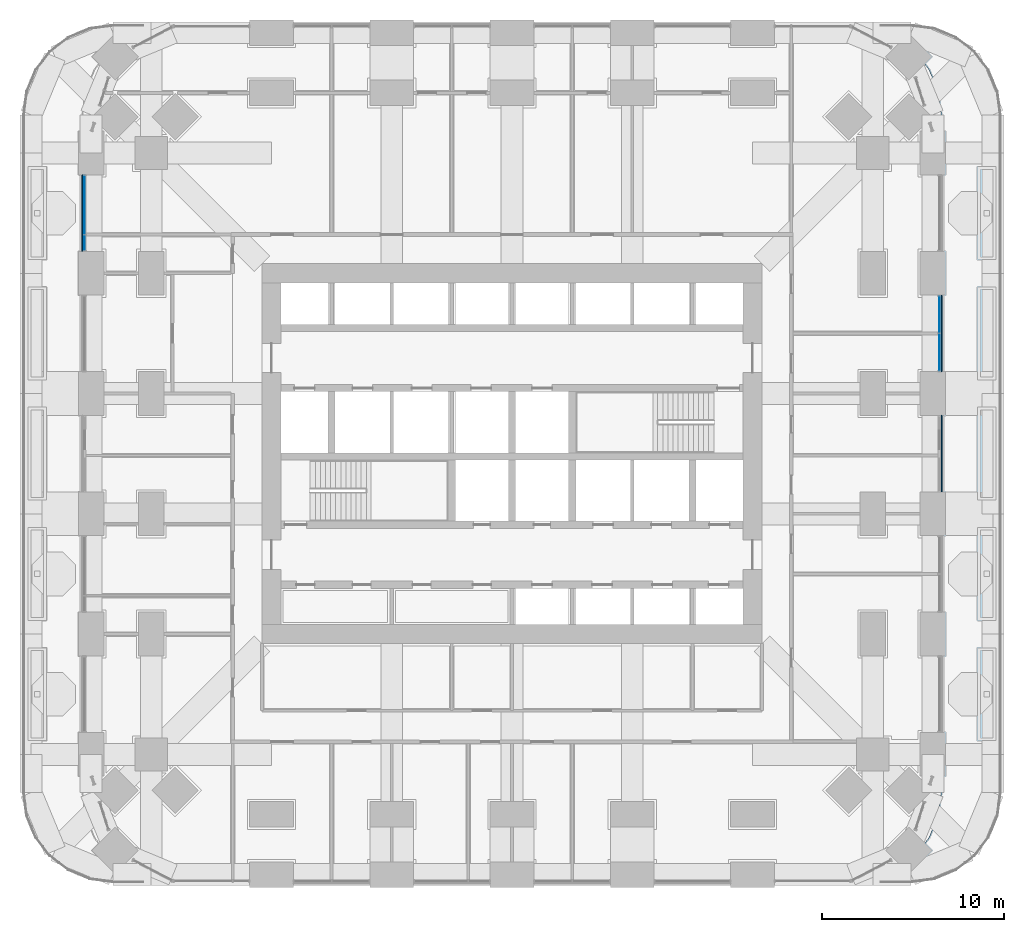
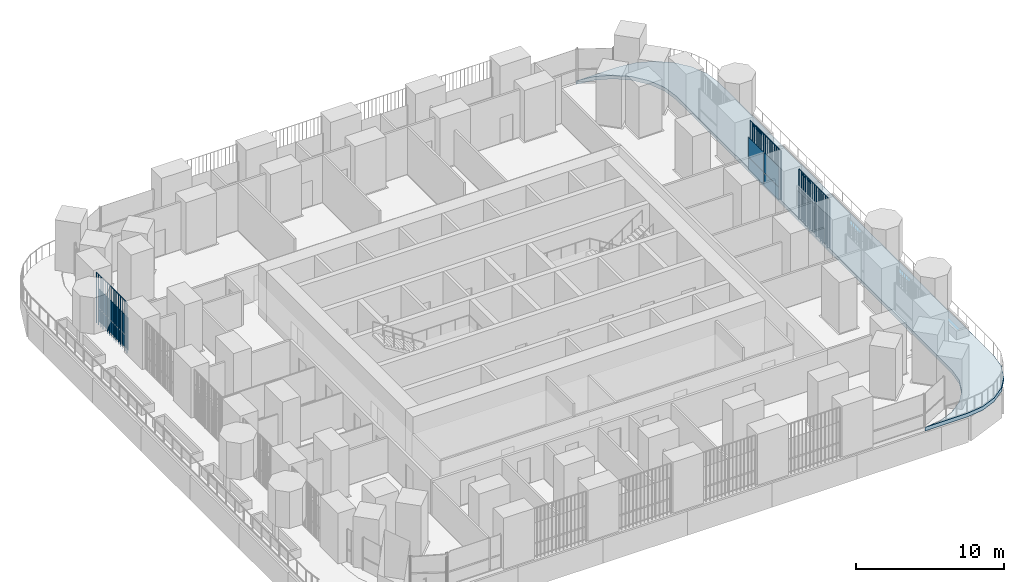
# One storey, part 14 of 27: 11 plates, 1 slab, 2 elements without a shape of their own.
"""IFC4 building model written with IfcOpenShell, lengths in metres."""

from ifc_helpers import new_model, si_unit, direction, frame, origin, origin_2d, place, context, subcontext, project, spatial, polyline, rectangle, outline, extrude, material, layer, layer_set, type_object, element, aggregate, save


model = new_model("IFC4")

# Units and contexts
model_context = context("Model", 3, precision=1e-05, world=origin(), true_north=direction((0.0, 1.0)))
body_context = subcontext(model_context, "Body", "Model", "MODEL_VIEW")
ifc_project = project(units=[si_unit("LENGTHUNIT", "METRE"), si_unit("AREAUNIT", "SQUARE_METRE"), si_unit("VOLUMEUNIT", "CUBIC_METRE"), si_unit("PLANEANGLEUNIT", "RADIAN"), si_unit("MASSUNIT", "GRAM", prefix="KILO")], contexts=[model_context])

# Site, building, storey
site_placement = place(None, origin())
site = spatial("IfcSite", under=ifc_project, at=site_placement, CompositionType="ELEMENT")
building_placement = place(site_placement, origin())
building = spatial("IfcBuilding", under=site, at=building_placement, Name="Cobogo Forest Laboratory Tower", CompositionType="ELEMENT")
storey_placement = place(building_placement, frame((0.0, 0.0, 82.199951171875)))
storey = spatial("IfcBuildingStorey", under=building, at=storey_placement, Name="L18", CompositionType="ELEMENT", Elevation=82.199951171875)

# Curtain wall, plates
ifc_material_1 = material(Name="Aluminium curtain wall", Category="aluminium")
curtain_wall_type = type_object("IfcCurtainWallType", Name="CW-1 unitised curtain wall, clear glazing, laboratory floors zones A and B", PredefinedType="USERDEFINED", material=ifc_material_1)
curtain_wall_1_placement = place(storey_placement, origin())
curtain_wall_1 = element("IfcCurtainWall", 1, at=curtain_wall_1_placement, inside=storey, type_object=curtain_wall_type, Name="Curtain wall 13 L18", ObjectType="UNITISED CURTAIN WALL", PredefinedType="USERDEFINED")
ifc_material_2 = material(Name="Clear insulated glass", Category="glass")
ifc_layer_1 = layer(ifc_material_2, 0.028076171875)
ifc_layer_set_1 = layer_set([ifc_layer_1], Name="GP-1 clear insulated glass unit 28")
plate_type_1 = type_object("IfcPlateType", Name="GP-1 clear insulated glass unit 28", PredefinedType="CURTAIN_PANEL", material=ifc_layer_set_1)
plate_1_placement = place(storey_placement, frame((49.85009765625, 28.6650390625, 0.0), z_axis=(0.0, 0.0, 1.0), x_axis=(0.0, 1.0, 0.0)))
plate_1 = element("IfcPlate", 2, at=plate_1_placement, type_object=plate_type_1, Name="CW-1 panel 1.1", PredefinedType="CURTAIN_PANEL", context=body_context, shape_type="SweptSolid", body=[
    extrude(rectangle(XDim=2.010009765625, YDim=0.028076171875, at=origin_2d()), origin(), (0.0, 0.0, 1.0), 1.02001953125),
])
plate_2_placement = place(storey_placement, frame((49.85009765625, 28.6650390625, 1.080078125), z_axis=(0.0, 0.0, 1.0), x_axis=(0.0, 1.0, 0.0)))
plate_2 = element("IfcPlate", 3, at=plate_2_placement, type_object=plate_type_1, Name="CW-1 panel 1.2", PredefinedType="CURTAIN_PANEL", context=body_context, shape_type="SweptSolid", body=[
    extrude(rectangle(XDim=2.010009765625, YDim=0.028076171875, at=origin_2d()), origin(), (0.0, 0.0, 1.0), 1.6201171875),
])
plate_3_placement = place(storey_placement, frame((49.85009765625, 30.735107421875, 0.0), z_axis=(0.0, 0.0, 1.0), x_axis=(0.0, 1.0, 0.0)))
plate_3 = element("IfcPlate", 4, at=plate_3_placement, type_object=plate_type_1, Name="CW-1 panel 2.1", PredefinedType="CURTAIN_PANEL", context=body_context, shape_type="SweptSolid", body=[
    extrude(rectangle(XDim=2.010009765625, YDim=0.028076171875, at=origin_2d()), origin(), (0.0, 0.0, 1.0), 1.02001953125),
])
plate_4_placement = place(storey_placement, frame((49.85009765625, 30.735107421875, 1.080078125), z_axis=(0.0, 0.0, 1.0), x_axis=(0.0, 1.0, 0.0)))
plate_4 = element("IfcPlate", 5, at=plate_4_placement, type_object=plate_type_1, Name="CW-1 panel 2.2", PredefinedType="CURTAIN_PANEL", context=body_context, shape_type="SweptSolid", body=[
    extrude(rectangle(XDim=2.010009765625, YDim=0.028076171875, at=origin_2d()), origin(), (0.0, 0.0, 1.0), 1.6201171875),
])
aggregate(curtain_wall_1, [plate_1, plate_2, plate_3, plate_4])

curtain_wall_2_placement = place(storey_placement, origin())
curtain_wall_2 = element("IfcCurtainWall", 6, at=curtain_wall_2_placement, inside=storey, type_object=curtain_wall_type, Name="Curtain wall 27 L18", ObjectType="UNITISED CURTAIN WALL", PredefinedType="USERDEFINED")
plate_5_placement = place(storey_placement, frame((2.949951171875, 36.74755859375, 0.0), z_axis=(0.0, 0.0, 1.0), x_axis=(0.0, -1.0, 0.0)))
plate_5 = element("IfcPlate", 7, at=plate_5_placement, type_object=plate_type_1, Name="CW-1 panel 1.1", PredefinedType="CURTAIN_PANEL", context=body_context, shape_type="SweptSolid", body=[
    extrude(rectangle(XDim=3.18505859375, YDim=0.028076171875, at=origin_2d()), origin(), (0.0, 0.0, 1.0), 1.02001953125),
])
plate_6_placement = place(storey_placement, frame((2.949951171875, 36.74755859375, 1.080078125), z_axis=(0.0, 0.0, 1.0), x_axis=(0.0, -1.0, 0.0)))
plate_6 = element("IfcPlate", 8, at=plate_6_placement, type_object=plate_type_1, Name="CW-1 panel 1.2", PredefinedType="CURTAIN_PANEL", context=body_context, shape_type="SweptSolid", body=[
    extrude(rectangle(XDim=3.18505859375, YDim=0.028076171875, at=origin_2d()), origin(), (0.0, 0.0, 1.0), 1.6201171875),
])
plate_7_placement = place(storey_placement, frame((2.949951171875, 34.677490234375, 0.0), z_axis=(0.0, 0.0, 1.0), x_axis=(0.0, -1.0, 0.0)))
plate_7 = element("IfcPlate", 9, at=plate_7_placement, type_object=plate_type_1, Name="CW-1 panel 2.1", PredefinedType="CURTAIN_PANEL", context=body_context, shape_type="SweptSolid", body=[
    extrude(rectangle(XDim=0.8349609375, YDim=0.028076171875, at=origin_2d()), origin(), (0.0, 0.0, 1.0), 1.02001953125),
])
plate_8_placement = place(storey_placement, frame((2.949951171875, 34.677490234375, 1.080078125), z_axis=(0.0, 0.0, 1.0), x_axis=(0.0, -1.0, 0.0)))
plate_8 = element("IfcPlate", 10, at=plate_8_placement, type_object=plate_type_1, Name="CW-1 panel 2.2", PredefinedType="CURTAIN_PANEL", context=body_context, shape_type="SweptSolid", body=[
    extrude(rectangle(XDim=0.8349609375, YDim=0.028076171875, at=origin_2d()), origin(), (0.0, 0.0, 1.0), 1.6201171875),
])
aggregate(curtain_wall_2, [plate_5, plate_6, plate_7, plate_8])

# Plates
ifc_material_3 = material(Name="Terracotta", Category="masonry")
plate_type_2 = type_object("IfcPlateType", Name="TB1 terracotta baguette screen", PredefinedType="USERDEFINED", material=ifc_material_3)
plate_9_placement = place(storey_placement, frame((49.977783203125, 21.03125, -0.14990234375)))
element("IfcPlate", 11, at=plate_9_placement, inside=storey, type_object=plate_type_2, Name="Baguette screen E3 L18", ObjectType="BAGUETTE SCREEN", PredefinedType="USERDEFINED", context=body_context, shape_type="SweptSolid", body=[
    extrude(outline(polyline([(0.02880859375, 0.011962890625), (0.011962890625, 0.02880859375), (-0.011962890625, 0.02880859375), (-0.02880859375, 0.011962890625), (-0.02880859375, -0.011962890625), (-0.011962890625, -0.02880859375), (0.011962890625, -0.02880859375), (0.02880859375, -0.011962890625), (0.02880859375, 0.011962890625)])), frame((0.0, 0.0, 4.168701171875), z_axis=(0.0, 1.0, 0.0), x_axis=(-1.0, 0.0, 0.0)), (0.0, 0.0, 1.0), 4.137451171875),
    extrude(outline(polyline([(0.02880859375, 0.011962890625), (0.011962890625, 0.02880859375), (-0.011962890625, 0.02880859375), (-0.02880859375, 0.011962890625), (-0.02880859375, -0.011962890625), (-0.011962890625, -0.02880859375), (0.011962890625, -0.02880859375), (0.02880859375, -0.011962890625), (0.02880859375, 0.011962890625)])), origin(), (0.0, 0.0, 1.0), 4.137451171875),
    extrude(outline(polyline([(0.02880859375, 0.011962890625), (0.011962890625, 0.02880859375), (-0.011962890625, 0.02880859375), (-0.02880859375, 0.011962890625), (-0.02880859375, -0.011962890625), (-0.011962890625, -0.02880859375), (0.011962890625, -0.02880859375), (0.02880859375, -0.011962890625), (0.02880859375, 0.011962890625)])), frame((0.0, 0.29541015625, 0.0)), (0.0, 0.0, 1.0), 4.137451171875),
    extrude(outline(polyline([(0.02880859375, 0.011962890625), (0.011962890625, 0.02880859375), (-0.011962890625, 0.02880859375), (-0.02880859375, 0.011962890625), (-0.02880859375, -0.011962890625), (-0.011962890625, -0.02880859375), (0.011962890625, -0.02880859375), (0.02880859375, -0.011962890625), (0.02880859375, 0.011962890625)])), frame((0.0, 0.591064453125, 0.0)), (0.0, 0.0, 1.0), 4.137451171875),
    extrude(outline(polyline([(0.02880859375, 0.011962890625), (0.011962890625, 0.02880859375), (-0.011962890625, 0.02880859375), (-0.02880859375, 0.011962890625), (-0.02880859375, -0.011962890625), (-0.011962890625, -0.02880859375), (0.011962890625, -0.02880859375), (0.02880859375, -0.011962890625), (0.02880859375, 0.011962890625)])), frame((0.0, 0.88671875, 0.0)), (0.0, 0.0, 1.0), 4.137451171875),
    extrude(outline(polyline([(0.02880859375, 0.011962890625), (0.011962890625, 0.02880859375), (-0.011962890625, 0.02880859375), (-0.02880859375, 0.011962890625), (-0.02880859375, -0.011962890625), (-0.011962890625, -0.02880859375), (0.011962890625, -0.02880859375), (0.02880859375, -0.011962890625), (0.02880859375, 0.011962890625)])), frame((0.0, 1.18212890625, 0.0)), (0.0, 0.0, 1.0), 4.137451171875),
    extrude(outline(polyline([(0.02880859375, 0.011962890625), (0.011962890625, 0.02880859375), (-0.011962890625, 0.02880859375), (-0.02880859375, 0.011962890625), (-0.02880859375, -0.011962890625), (-0.011962890625, -0.02880859375), (0.011962890625, -0.02880859375), (0.02880859375, -0.011962890625), (0.02880859375, 0.011962890625)])), frame((0.0, 1.4775390625, 0.0)), (0.0, 0.0, 1.0), 4.137451171875),
    extrude(outline(polyline([(0.02880859375, 0.011962890625), (0.011962890625, 0.02880859375), (-0.011962890625, 0.02880859375), (-0.02880859375, 0.011962890625), (-0.02880859375, -0.011962890625), (-0.011962890625, -0.02880859375), (0.011962890625, -0.02880859375), (0.02880859375, -0.011962890625), (0.02880859375, 0.011962890625)])), frame((0.0, 1.773193359375, 0.0)), (0.0, 0.0, 1.0), 4.137451171875),
    extrude(outline(polyline([(0.02880859375, 0.011962890625), (0.011962890625, 0.02880859375), (-0.011962890625, 0.02880859375), (-0.02880859375, 0.011962890625), (-0.02880859375, -0.011962890625), (-0.011962890625, -0.02880859375), (0.011962890625, -0.02880859375), (0.02880859375, -0.011962890625), (0.02880859375, 0.011962890625)])), frame((0.0, 2.06884765625, 0.0)), (0.0, 0.0, 1.0), 4.137451171875),
    extrude(outline(polyline([(0.02880859375, 0.011962890625), (0.011962890625, 0.02880859375), (-0.011962890625, 0.02880859375), (-0.02880859375, 0.011962890625), (-0.02880859375, -0.011962890625), (-0.011962890625, -0.02880859375), (0.011962890625, -0.02880859375), (0.02880859375, -0.011962890625), (0.02880859375, 0.011962890625)])), frame((0.0, 2.3642578125, 0.0)), (0.0, 0.0, 1.0), 4.137451171875),
    extrude(outline(polyline([(0.02880859375, 0.011962890625), (0.011962890625, 0.02880859375), (-0.011962890625, 0.02880859375), (-0.02880859375, 0.011962890625), (-0.02880859375, -0.011962890625), (-0.011962890625, -0.02880859375), (0.011962890625, -0.02880859375), (0.02880859375, -0.011962890625), (0.02880859375, 0.011962890625)])), frame((0.0, 2.65966796875, 0.0)), (0.0, 0.0, 1.0), 4.137451171875),
    extrude(outline(polyline([(0.02880859375, 0.011962890625), (0.011962890625, 0.02880859375), (-0.011962890625, 0.02880859375), (-0.02880859375, 0.011962890625), (-0.02880859375, -0.011962890625), (-0.011962890625, -0.02880859375), (0.011962890625, -0.02880859375), (0.02880859375, -0.011962890625), (0.02880859375, 0.011962890625)])), frame((0.0, 2.955322265625, 0.0)), (0.0, 0.0, 1.0), 4.137451171875),
    extrude(outline(polyline([(0.02880859375, 0.011962890625), (0.011962890625, 0.02880859375), (-0.011962890625, 0.02880859375), (-0.02880859375, 0.011962890625), (-0.02880859375, -0.011962890625), (-0.011962890625, -0.02880859375), (0.011962890625, -0.02880859375), (0.02880859375, -0.011962890625), (0.02880859375, 0.011962890625)])), frame((0.0, 3.2509765625, 0.0)), (0.0, 0.0, 1.0), 4.137451171875),
    extrude(outline(polyline([(0.02880859375, 0.011962890625), (0.011962890625, 0.02880859375), (-0.011962890625, 0.02880859375), (-0.02880859375, 0.011962890625), (-0.02880859375, -0.011962890625), (-0.011962890625, -0.02880859375), (0.011962890625, -0.02880859375), (0.02880859375, -0.011962890625), (0.02880859375, 0.011962890625)])), frame((0.0, 3.54638671875, 0.0)), (0.0, 0.0, 1.0), 4.137451171875),
    extrude(outline(polyline([(0.02880859375, 0.011962890625), (0.011962890625, 0.02880859375), (-0.011962890625, 0.02880859375), (-0.02880859375, 0.011962890625), (-0.02880859375, -0.011962890625), (-0.011962890625, -0.02880859375), (0.011962890625, -0.02880859375), (0.02880859375, -0.011962890625), (0.02880859375, 0.011962890625)])), frame((0.0, 3.841796875, 0.0)), (0.0, 0.0, 1.0), 4.137451171875),
    extrude(outline(polyline([(0.02880859375, 0.011962890625), (0.011962890625, 0.02880859375), (-0.011962890625, 0.02880859375), (-0.02880859375, 0.011962890625), (-0.02880859375, -0.011962890625), (-0.011962890625, -0.02880859375), (0.011962890625, -0.02880859375), (0.02880859375, -0.011962890625), (0.02880859375, 0.011962890625)])), frame((0.0, 4.137451171875, 0.0)), (0.0, 0.0, 1.0), 4.137451171875),
])
plate_10_placement = place(storey_placement, frame((49.977783203125, 27.63134765625, -0.14990234375)))
element("IfcPlate", 12, at=plate_10_placement, inside=storey, type_object=plate_type_2, Name="Baguette screen E4 L18", ObjectType="BAGUETTE SCREEN", PredefinedType="USERDEFINED", context=body_context, shape_type="SweptSolid", body=[
    extrude(outline(polyline([(0.02880859375, 0.011962890625), (0.011962890625, 0.02880859375), (-0.011962890625, 0.02880859375), (-0.02880859375, 0.011962890625), (-0.02880859375, -0.011962890625), (-0.011962890625, -0.02880859375), (0.011962890625, -0.02880859375), (0.02880859375, -0.011962890625), (0.02880859375, 0.011962890625)])), frame((0.0, 0.0, 4.168701171875), z_axis=(0.0, 1.0, 0.0), x_axis=(-1.0, 0.0, 0.0)), (0.0, 0.0, 1.0), 4.137451171875),
    extrude(outline(polyline([(0.02880859375, 0.011962890625), (0.011962890625, 0.02880859375), (-0.011962890625, 0.02880859375), (-0.02880859375, 0.011962890625), (-0.02880859375, -0.011962890625), (-0.011962890625, -0.02880859375), (0.011962890625, -0.02880859375), (0.02880859375, -0.011962890625), (0.02880859375, 0.011962890625)])), origin(), (0.0, 0.0, 1.0), 4.137451171875),
    extrude(outline(polyline([(0.02880859375, 0.011962890625), (0.011962890625, 0.02880859375), (-0.011962890625, 0.02880859375), (-0.02880859375, 0.011962890625), (-0.02880859375, -0.011962890625), (-0.011962890625, -0.02880859375), (0.011962890625, -0.02880859375), (0.02880859375, -0.011962890625), (0.02880859375, 0.011962890625)])), frame((0.0, 0.29541015625, 0.0)), (0.0, 0.0, 1.0), 4.137451171875),
    extrude(outline(polyline([(0.02880859375, 0.011962890625), (0.011962890625, 0.02880859375), (-0.011962890625, 0.02880859375), (-0.02880859375, 0.011962890625), (-0.02880859375, -0.011962890625), (-0.011962890625, -0.02880859375), (0.011962890625, -0.02880859375), (0.02880859375, -0.011962890625), (0.02880859375, 0.011962890625)])), frame((0.0, 0.591064453125, 0.0)), (0.0, 0.0, 1.0), 4.137451171875),
    extrude(outline(polyline([(0.02880859375, 0.011962890625), (0.011962890625, 0.02880859375), (-0.011962890625, 0.02880859375), (-0.02880859375, 0.011962890625), (-0.02880859375, -0.011962890625), (-0.011962890625, -0.02880859375), (0.011962890625, -0.02880859375), (0.02880859375, -0.011962890625), (0.02880859375, 0.011962890625)])), frame((0.0, 0.88671875, 0.0)), (0.0, 0.0, 1.0), 4.137451171875),
    extrude(outline(polyline([(0.02880859375, 0.011962890625), (0.011962890625, 0.02880859375), (-0.011962890625, 0.02880859375), (-0.02880859375, 0.011962890625), (-0.02880859375, -0.011962890625), (-0.011962890625, -0.02880859375), (0.011962890625, -0.02880859375), (0.02880859375, -0.011962890625), (0.02880859375, 0.011962890625)])), frame((0.0, 1.18212890625, 0.0)), (0.0, 0.0, 1.0), 4.137451171875),
    extrude(outline(polyline([(0.02880859375, 0.011962890625), (0.011962890625, 0.02880859375), (-0.011962890625, 0.02880859375), (-0.02880859375, 0.011962890625), (-0.02880859375, -0.011962890625), (-0.011962890625, -0.02880859375), (0.011962890625, -0.02880859375), (0.02880859375, -0.011962890625), (0.02880859375, 0.011962890625)])), frame((0.0, 1.4775390625, 0.0)), (0.0, 0.0, 1.0), 4.137451171875),
    extrude(outline(polyline([(0.02880859375, 0.011962890625), (0.011962890625, 0.02880859375), (-0.011962890625, 0.02880859375), (-0.02880859375, 0.011962890625), (-0.02880859375, -0.011962890625), (-0.011962890625, -0.02880859375), (0.011962890625, -0.02880859375), (0.02880859375, -0.011962890625), (0.02880859375, 0.011962890625)])), frame((0.0, 1.773193359375, 0.0)), (0.0, 0.0, 1.0), 4.137451171875),
    extrude(outline(polyline([(0.02880859375, 0.011962890625), (0.011962890625, 0.02880859375), (-0.011962890625, 0.02880859375), (-0.02880859375, 0.011962890625), (-0.02880859375, -0.011962890625), (-0.011962890625, -0.02880859375), (0.011962890625, -0.02880859375), (0.02880859375, -0.011962890625), (0.02880859375, 0.011962890625)])), frame((0.0, 2.06884765625, 0.0)), (0.0, 0.0, 1.0), 4.137451171875),
    extrude(outline(polyline([(0.02880859375, 0.011962890625), (0.011962890625, 0.02880859375), (-0.011962890625, 0.02880859375), (-0.02880859375, 0.011962890625), (-0.02880859375, -0.011962890625), (-0.011962890625, -0.02880859375), (0.011962890625, -0.02880859375), (0.02880859375, -0.011962890625), (0.02880859375, 0.011962890625)])), frame((0.0, 2.3642578125, 0.0)), (0.0, 0.0, 1.0), 4.137451171875),
    extrude(outline(polyline([(0.02880859375, 0.011962890625), (0.011962890625, 0.02880859375), (-0.011962890625, 0.02880859375), (-0.02880859375, 0.011962890625), (-0.02880859375, -0.011962890625), (-0.011962890625, -0.02880859375), (0.011962890625, -0.02880859375), (0.02880859375, -0.011962890625), (0.02880859375, 0.011962890625)])), frame((0.0, 2.65966796875, 0.0)), (0.0, 0.0, 1.0), 4.137451171875),
    extrude(outline(polyline([(0.02880859375, 0.011962890625), (0.011962890625, 0.02880859375), (-0.011962890625, 0.02880859375), (-0.02880859375, 0.011962890625), (-0.02880859375, -0.011962890625), (-0.011962890625, -0.02880859375), (0.011962890625, -0.02880859375), (0.02880859375, -0.011962890625), (0.02880859375, 0.011962890625)])), frame((0.0, 2.955322265625, 0.0)), (0.0, 0.0, 1.0), 4.137451171875),
    extrude(outline(polyline([(0.02880859375, 0.011962890625), (0.011962890625, 0.02880859375), (-0.011962890625, 0.02880859375), (-0.02880859375, 0.011962890625), (-0.02880859375, -0.011962890625), (-0.011962890625, -0.02880859375), (0.011962890625, -0.02880859375), (0.02880859375, -0.011962890625), (0.02880859375, 0.011962890625)])), frame((0.0, 3.2509765625, 0.0)), (0.0, 0.0, 1.0), 4.137451171875),
    extrude(outline(polyline([(0.02880859375, 0.011962890625), (0.011962890625, 0.02880859375), (-0.011962890625, 0.02880859375), (-0.02880859375, 0.011962890625), (-0.02880859375, -0.011962890625), (-0.011962890625, -0.02880859375), (0.011962890625, -0.02880859375), (0.02880859375, -0.011962890625), (0.02880859375, 0.011962890625)])), frame((0.0, 3.54638671875, 0.0)), (0.0, 0.0, 1.0), 4.137451171875),
    extrude(outline(polyline([(0.02880859375, 0.011962890625), (0.011962890625, 0.02880859375), (-0.011962890625, 0.02880859375), (-0.02880859375, 0.011962890625), (-0.02880859375, -0.011962890625), (-0.011962890625, -0.02880859375), (0.011962890625, -0.02880859375), (0.02880859375, -0.011962890625), (0.02880859375, 0.011962890625)])), frame((0.0, 3.841796875, 0.0)), (0.0, 0.0, 1.0), 4.137451171875),
    extrude(outline(polyline([(0.02880859375, 0.011962890625), (0.011962890625, 0.02880859375), (-0.011962890625, 0.02880859375), (-0.02880859375, 0.011962890625), (-0.02880859375, -0.011962890625), (-0.011962890625, -0.02880859375), (0.011962890625, -0.02880859375), (0.02880859375, -0.011962890625), (0.02880859375, 0.011962890625)])), frame((0.0, 4.137451171875, 0.0)), (0.0, 0.0, 1.0), 4.137451171875),
])
plate_11_placement = place(storey_placement, frame((2.822021484375, 34.231201171875, -0.14990234375)))
element("IfcPlate", 13, at=plate_11_placement, inside=storey, type_object=plate_type_2, Name="Baguette screen W5 L18", ObjectType="BAGUETTE SCREEN", PredefinedType="USERDEFINED", context=body_context, shape_type="SweptSolid", body=[
    extrude(outline(polyline([(0.02880859375, 0.011962890625), (0.011962890625, 0.02880859375), (-0.011962890625, 0.02880859375), (-0.02880859375, 0.011962890625), (-0.02880859375, -0.011962890625), (-0.011962890625, -0.02880859375), (0.011962890625, -0.02880859375), (0.02880859375, -0.011962890625), (0.02880859375, 0.011962890625)])), frame((0.0, 0.0, 4.168701171875), z_axis=(0.0, 1.0, 0.0), x_axis=(-1.0, 0.0, 0.0)), (0.0, 0.0, 1.0), 4.137451171875),
    extrude(outline(polyline([(0.02880859375, 0.011962890625), (0.011962890625, 0.02880859375), (-0.011962890625, 0.02880859375), (-0.02880859375, 0.011962890625), (-0.02880859375, -0.011962890625), (-0.011962890625, -0.02880859375), (0.011962890625, -0.02880859375), (0.02880859375, -0.011962890625), (0.02880859375, 0.011962890625)])), origin(), (0.0, 0.0, 1.0), 4.137451171875),
    extrude(outline(polyline([(0.02880859375, 0.011962890625), (0.011962890625, 0.02880859375), (-0.011962890625, 0.02880859375), (-0.02880859375, 0.011962890625), (-0.02880859375, -0.011962890625), (-0.011962890625, -0.02880859375), (0.011962890625, -0.02880859375), (0.02880859375, -0.011962890625), (0.02880859375, 0.011962890625)])), frame((0.0, 0.29541015625, 0.0)), (0.0, 0.0, 1.0), 4.137451171875),
    extrude(outline(polyline([(0.02880859375, 0.011962890625), (0.011962890625, 0.02880859375), (-0.011962890625, 0.02880859375), (-0.02880859375, 0.011962890625), (-0.02880859375, -0.011962890625), (-0.011962890625, -0.02880859375), (0.011962890625, -0.02880859375), (0.02880859375, -0.011962890625), (0.02880859375, 0.011962890625)])), frame((0.0, 0.591064453125, 0.0)), (0.0, 0.0, 1.0), 4.137451171875),
    extrude(outline(polyline([(0.02880859375, 0.011962890625), (0.011962890625, 0.02880859375), (-0.011962890625, 0.02880859375), (-0.02880859375, 0.011962890625), (-0.02880859375, -0.011962890625), (-0.011962890625, -0.02880859375), (0.011962890625, -0.02880859375), (0.02880859375, -0.011962890625), (0.02880859375, 0.011962890625)])), frame((0.0, 0.88671875, 0.0)), (0.0, 0.0, 1.0), 4.137451171875),
    extrude(outline(polyline([(0.02880859375, 0.011962890625), (0.011962890625, 0.02880859375), (-0.011962890625, 0.02880859375), (-0.02880859375, 0.011962890625), (-0.02880859375, -0.011962890625), (-0.011962890625, -0.02880859375), (0.011962890625, -0.02880859375), (0.02880859375, -0.011962890625), (0.02880859375, 0.011962890625)])), frame((0.0, 1.18212890625, 0.0)), (0.0, 0.0, 1.0), 4.137451171875),
    extrude(outline(polyline([(0.02880859375, 0.011962890625), (0.011962890625, 0.02880859375), (-0.011962890625, 0.02880859375), (-0.02880859375, 0.011962890625), (-0.02880859375, -0.011962890625), (-0.011962890625, -0.02880859375), (0.011962890625, -0.02880859375), (0.02880859375, -0.011962890625), (0.02880859375, 0.011962890625)])), frame((0.0, 1.4775390625, 0.0)), (0.0, 0.0, 1.0), 4.137451171875),
    extrude(outline(polyline([(0.02880859375, 0.011962890625), (0.011962890625, 0.02880859375), (-0.011962890625, 0.02880859375), (-0.02880859375, 0.011962890625), (-0.02880859375, -0.011962890625), (-0.011962890625, -0.02880859375), (0.011962890625, -0.02880859375), (0.02880859375, -0.011962890625), (0.02880859375, 0.011962890625)])), frame((0.0, 1.773193359375, 0.0)), (0.0, 0.0, 1.0), 4.137451171875),
    extrude(outline(polyline([(0.02880859375, 0.011962890625), (0.011962890625, 0.02880859375), (-0.011962890625, 0.02880859375), (-0.02880859375, 0.011962890625), (-0.02880859375, -0.011962890625), (-0.011962890625, -0.02880859375), (0.011962890625, -0.02880859375), (0.02880859375, -0.011962890625), (0.02880859375, 0.011962890625)])), frame((0.0, 2.06884765625, 0.0)), (0.0, 0.0, 1.0), 4.137451171875),
    extrude(outline(polyline([(0.02880859375, 0.011962890625), (0.011962890625, 0.02880859375), (-0.011962890625, 0.02880859375), (-0.02880859375, 0.011962890625), (-0.02880859375, -0.011962890625), (-0.011962890625, -0.02880859375), (0.011962890625, -0.02880859375), (0.02880859375, -0.011962890625), (0.02880859375, 0.011962890625)])), frame((0.0, 2.3642578125, 0.0)), (0.0, 0.0, 1.0), 4.137451171875),
    extrude(outline(polyline([(0.02880859375, 0.011962890625), (0.011962890625, 0.02880859375), (-0.011962890625, 0.02880859375), (-0.02880859375, 0.011962890625), (-0.02880859375, -0.011962890625), (-0.011962890625, -0.02880859375), (0.011962890625, -0.02880859375), (0.02880859375, -0.011962890625), (0.02880859375, 0.011962890625)])), frame((0.0, 2.65966796875, 0.0)), (0.0, 0.0, 1.0), 4.137451171875),
    extrude(outline(polyline([(0.02880859375, 0.011962890625), (0.011962890625, 0.02880859375), (-0.011962890625, 0.02880859375), (-0.02880859375, 0.011962890625), (-0.02880859375, -0.011962890625), (-0.011962890625, -0.02880859375), (0.011962890625, -0.02880859375), (0.02880859375, -0.011962890625), (0.02880859375, 0.011962890625)])), frame((0.0, 2.955322265625, 0.0)), (0.0, 0.0, 1.0), 4.137451171875),
    extrude(outline(polyline([(0.02880859375, 0.011962890625), (0.011962890625, 0.02880859375), (-0.011962890625, 0.02880859375), (-0.02880859375, 0.011962890625), (-0.02880859375, -0.011962890625), (-0.011962890625, -0.02880859375), (0.011962890625, -0.02880859375), (0.02880859375, -0.011962890625), (0.02880859375, 0.011962890625)])), frame((0.0, 3.2509765625, 0.0)), (0.0, 0.0, 1.0), 4.137451171875),
    extrude(outline(polyline([(0.02880859375, 0.011962890625), (0.011962890625, 0.02880859375), (-0.011962890625, 0.02880859375), (-0.02880859375, 0.011962890625), (-0.02880859375, -0.011962890625), (-0.011962890625, -0.02880859375), (0.011962890625, -0.02880859375), (0.02880859375, -0.011962890625), (0.02880859375, 0.011962890625)])), frame((0.0, 3.54638671875, 0.0)), (0.0, 0.0, 1.0), 4.137451171875),
    extrude(outline(polyline([(0.02880859375, 0.011962890625), (0.011962890625, 0.02880859375), (-0.011962890625, 0.02880859375), (-0.02880859375, 0.011962890625), (-0.02880859375, -0.011962890625), (-0.011962890625, -0.02880859375), (0.011962890625, -0.02880859375), (0.02880859375, -0.011962890625), (0.02880859375, 0.011962890625)])), frame((0.0, 3.841796875, 0.0)), (0.0, 0.0, 1.0), 4.137451171875),
    extrude(outline(polyline([(0.02880859375, 0.011962890625), (0.011962890625, 0.02880859375), (-0.011962890625, 0.02880859375), (-0.02880859375, 0.011962890625), (-0.02880859375, -0.011962890625), (-0.011962890625, -0.02880859375), (0.011962890625, -0.02880859375), (0.02880859375, -0.011962890625), (0.02880859375, 0.011962890625)])), frame((0.0, 4.137451171875, 0.0)), (0.0, 0.0, 1.0), 4.137451171875),
])

# Slab
ifc_material_4 = material(Name="Concrete HA-40 (C40/50)", Category="concrete")
ifc_layer_2 = layer(ifc_material_4, 0.300048828125)
ifc_layer_set_2 = layer_set([ifc_layer_2], Name="Terrace slab 300")
slab_type = type_object("IfcSlabType", Name="Terrace slab 300", PredefinedType="FLOOR", material=ifc_layer_set_2)
slab_placement = place(storey_placement, frame((0.0, 0.0, -0.300048828125)))
element("IfcSlab", 14, at=slab_placement, inside=storey, type_object=slab_type, Name="Setback terrace E L18", PredefinedType="FLOOR", context=body_context, shape_type="SweptSolid", body=[
    extrude(outline(polyline([(48.300048828125, 46.64990234375), (45.0, 46.64990234375), (46.28125, 46.4814453125), (47.47509765625, 45.98681640625), (48.500244140625, 45.2001953125), (49.286865234375, 44.175048828125), (49.78125, 42.981201171875), (49.949951171875, 41.699951171875), (49.949951171875, 4.5), (49.78125, 3.21875), (49.286865234375, 2.02490234375), (48.500244140625, 0.999755859375), (47.47509765625, 0.213134765625), (46.28125, -0.28125), (45.0, -0.449951171875), (48.300048828125, -0.449951171875), (49.5810546875, -0.28125), (50.77490234375, 0.213134765625), (51.80029296875, 0.999755859375), (52.5869140625, 2.02490234375), (53.081298828125, 3.21875), (53.25, 4.5), (53.25, 41.699951171875), (53.081298828125, 42.981201171875), (52.5869140625, 44.175048828125), (51.80029296875, 45.2001953125), (50.77490234375, 45.98681640625), (49.5810546875, 46.4814453125), (48.300048828125, 46.64990234375)])), origin(), (0.0, 0.0, 1.0), 0.300048828125),
])

save(model, "model.ifc")
